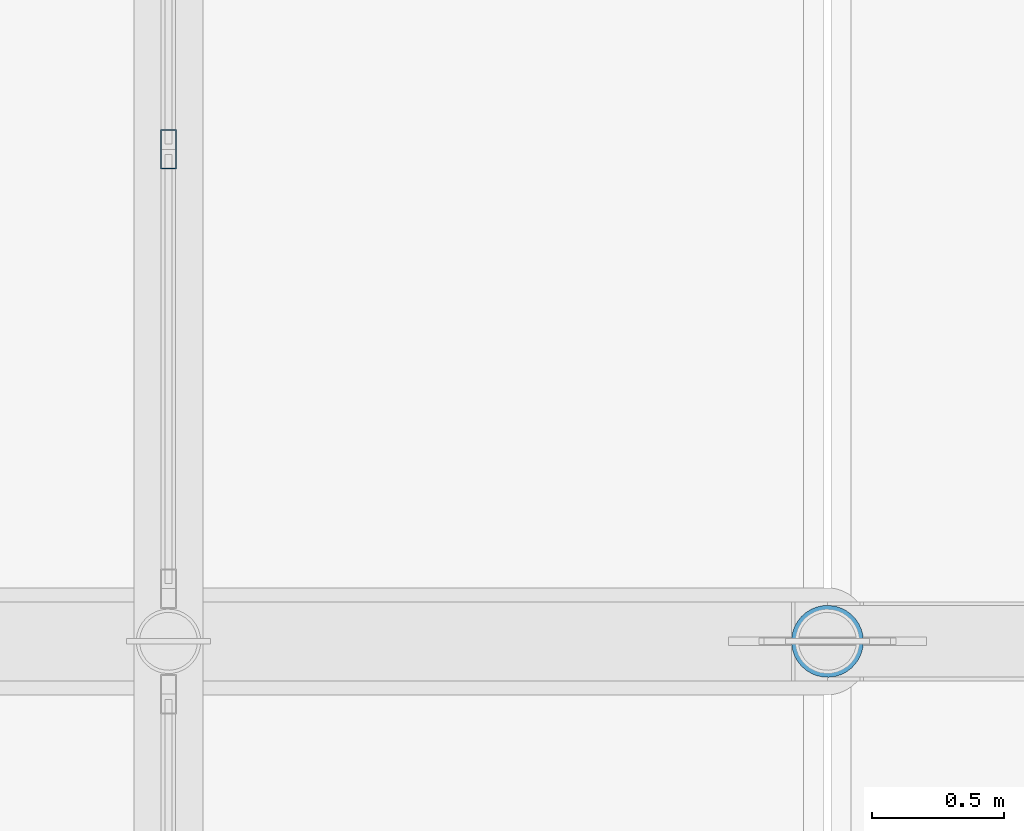
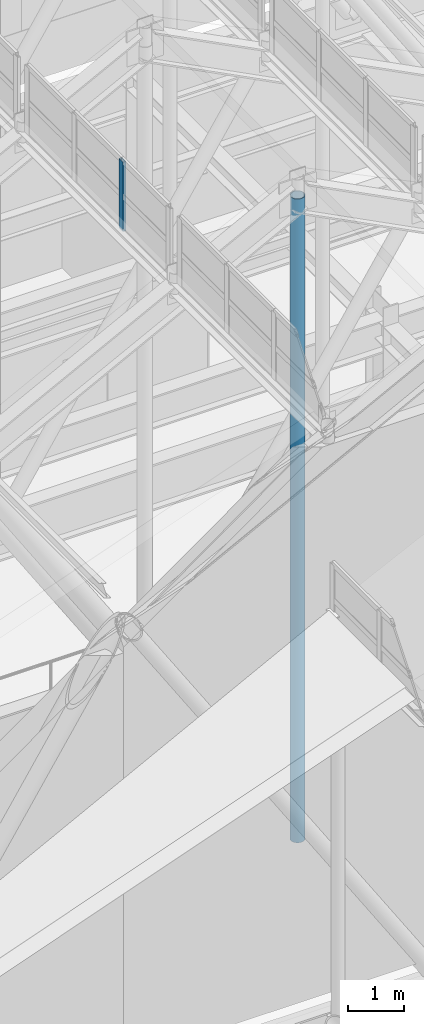
# One storey, part 37 of 84: 2 members, 1 element without a shape of its own.
"""IFC4 building model written with IfcOpenShell, lengths in metres."""

from ifc_helpers import new_model, si_unit, direction, frame, origin, origin_2d, place, context, subcontext, project, spatial, hollow_rectangle, hollow_circle, extrude, material, layer, layer_set, material_profile, profile_set, type_object, element, aggregate, save


model = new_model("IFC4")

# Units and contexts
model_context = context("Model", 3, precision=1e-05, world=origin(), true_north=direction((0.0, 1.0)))
body_context = subcontext(model_context, "Body", "Model", "MODEL_VIEW")
ifc_project = project(units=[si_unit("LENGTHUNIT", "METRE"), si_unit("AREAUNIT", "SQUARE_METRE"), si_unit("VOLUMEUNIT", "CUBIC_METRE"), si_unit("PLANEANGLEUNIT", "RADIAN"), si_unit("MASSUNIT", "GRAM", prefix="KILO")], contexts=[model_context])

# Site, building, storey
site_placement = place(None, origin())
site = spatial("IfcSite", under=ifc_project, at=site_placement, CompositionType="ELEMENT")
building_placement = place(site_placement, origin())
building = spatial("IfcBuilding", under=site, at=building_placement, Name="Sundgate Opera House", CompositionType="ELEMENT")
storey_placement = place(building_placement, frame((0.0, 0.0, 30.60009765625)))
storey = spatial("IfcBuildingStorey", under=building, at=storey_placement, Name="L06", CompositionType="ELEMENT", Elevation=30.60009765625)

# Curtain wall, member
ifc_material_1 = material(Name="Anodized aluminium and low-iron glass", Category="aluminium")
ifc_layer = layer(ifc_material_1, 0.169921875)
ifc_layer_set = layer_set([ifc_layer], Name="Anodized aluminium and low-iron glass")
curtain_wall_type = type_object("IfcCurtainWallType", Name="CW-LANTERN-POLY", PredefinedType="NOTDEFINED", material=ifc_layer_set)
curtain_wall_placement = place(storey_placement, origin())
curtain_wall = element("IfcCurtainWall", 1, at=curtain_wall_placement, inside=storey, type_object=curtain_wall_type, Name="L06 Curtain Wall CW181", PredefinedType="NOTDEFINED")
ifc_material_2 = material(Name="Anodized aluminium EN AW-6063", Category="aluminium")
ifc_material_profile_1 = material_profile(ifc_material_2, hollow_rectangle(XDim=0.06005859375, YDim=0.14990234375, WallThickness=0.00390625, at=origin_2d()), Name="CWM 150x60x4")
ifc_profile_set_1 = profile_set([ifc_material_profile_1], Name="Anodized aluminium EN AW-6063")
member_type_1 = type_object("IfcMemberType", Name="CWM-ALU-150x60", PredefinedType="MULLION", material=ifc_profile_set_1)
member_1_placement = place(storey_placement, frame((51.5, 67.2666015625, 16.199951171875), z_axis=(0.0, 0.0, 1.0), x_axis=(1.0, 0.0, 0.0)))
member_1 = element("IfcMember", 2, at=member_1_placement, type_object=member_type_1, Name="CW181 Mullion 3", PredefinedType="MULLION", context=body_context, shape_type="SweptSolid", body=[
    extrude(hollow_rectangle(XDim=0.06005859375, YDim=0.14990234375, WallThickness=0.00390625, at=origin_2d()), origin(), (0.0, 0.0, 1.0), 1.5),
])
aggregate(curtain_wall, [member_1])

# Member
ifc_material_3 = material(Name="Steel S355J2", Category="steel")
ifc_material_profile_2 = material_profile(ifc_material_3, hollow_circle(Radius=0.136474609375, WallThickness=0.01611328125, at=origin_2d()), Name="CHS 273.0x16.0")
ifc_profile_set_2 = profile_set([ifc_material_profile_2], Name="Steel S355J2")
member_type_2 = type_object("IfcMemberType", Name="MB-STRUT-CHS273", PredefinedType="STRUT", material=ifc_profile_set_2)
member_2_placement = place(storey_placement, frame((54.0, 65.39990234375, 3.289794921875), z_axis=(0.0, 0.0, 1.0), x_axis=(1.0, 0.0, 0.0)))
element("IfcMember", 3, at=member_2_placement, inside=storey, type_object=member_type_2, Name="L06 Fly-Tower Truss Vertical Post M0151", PredefinedType="STRUT", context=body_context, shape_type="SweptSolid", body=[
    extrude(hollow_circle(Radius=0.136474609375, WallThickness=0.01611328125, at=origin_2d()), origin(), (0.0, 0.0, 1.0), 13.91015625),
])

save(model, "model.ifc")
